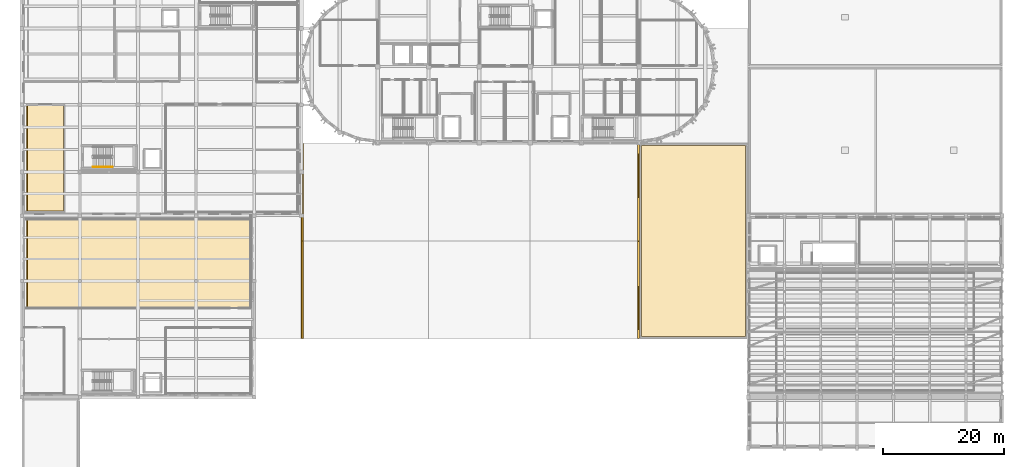
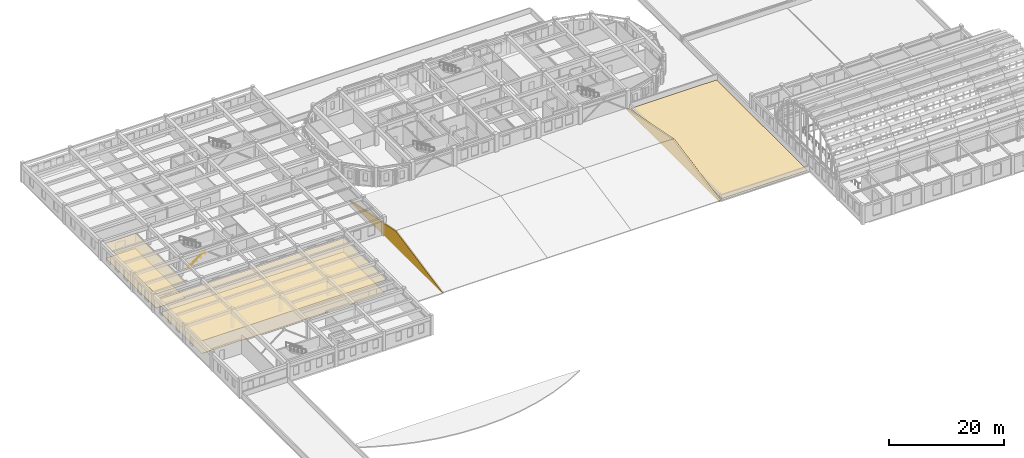
# One storey, part 36 of 46: 7 coverings, 1 railing.
"""IFC4 building model written with IfcOpenShell, lengths in metres."""

from ifc_helpers import new_model, si_unit, direction, frame, origin, origin_2d, place, context, subcontext, project, spatial, polyline, circle, outline, extrude, material, layer, layer_set, type_object, element, save


model = new_model("IFC4")

# Units and contexts
model_context = context("Model", 3, precision=1e-05, world=origin(), true_north=direction((0.0, 1.0)))
body_context = subcontext(model_context, "Body", "Model", "MODEL_VIEW")
ifc_project = project(units=[si_unit("LENGTHUNIT", "METRE"), si_unit("AREAUNIT", "SQUARE_METRE"), si_unit("VOLUMEUNIT", "CUBIC_METRE"), si_unit("PLANEANGLEUNIT", "RADIAN"), si_unit("MASSUNIT", "GRAM", prefix="KILO")], contexts=[model_context])

# Site, building, storey
site_placement = place(None, origin())
site = spatial("IfcSite", under=ifc_project, at=site_placement, CompositionType="ELEMENT")
building_placement = place(site_placement, origin())
building = spatial("IfcBuilding", under=site, at=building_placement, Name="Tarnavel Promenade Courthouse", CompositionType="ELEMENT")
storey_placement = place(building_placement, frame((0.0, 0.0, 14.39990234375)))
storey = spatial("IfcBuildingStorey", under=building, at=storey_placement, Name="L04", CompositionType="ELEMENT", Elevation=14.39990234375)

# Railing
ifc_material_1 = material(Name="Brushed Bronze Tubular Stair Handrail")
railing_type = type_object("IfcRailingType", Name="Brushed Bronze Tubular Stair Handrail (RL-HND-0900)", PredefinedType="HANDRAIL", material=ifc_material_1)
railing_placement = place(storey_placement, frame((11.780029296875, 75.25, 0.175048828125)))
element("IfcRailing", 1, at=railing_placement, inside=storey, type_object=railing_type, Name="L04 ST-04 stair handrail 1", PredefinedType="HANDRAIL", context=body_context, shape_type="SweptSolid", body=[
    extrude(circle(Radius=0.02392578125, at=origin_2d()), frame((0.0, 0.0, 0.8759765625), z_axis=(0.856177665481, 0.0, 0.516681531633), x_axis=(0.0, 1.0, 0.0)), (0.0, 0.0, 1.0), 3.725830078125),
    extrude(circle(Radius=0.02099609375, at=origin_2d()), origin(), (0.0, 0.0, 1.0), 0.851806640625),
    extrude(circle(Radius=0.02099609375, at=origin_2d()), frame((0.79736328125, 0.0, 0.481201171875)), (0.0, 0.0, 1.0), 0.851806640625),
    extrude(circle(Radius=0.02099609375, at=origin_2d()), frame((1.594970703125, 0.0, 0.96240234375)), (0.0, 0.0, 1.0), 0.851806640625),
    extrude(circle(Radius=0.02099609375, at=origin_2d()), frame((2.392578125, 0.0, 1.44384765625)), (0.0, 0.0, 1.0), 0.851806640625),
    extrude(circle(Radius=0.02099609375, at=origin_2d()), frame((3.18994140625, 0.0, 1.925048828125)), (0.0, 0.0, 1.0), 0.851806640625),
])

# Coverings
ifc_material_2 = material(Name="Carved Buff Limestone Floor-Band Cornice Ledge", Category="masonry")
ifc_layer_1 = layer(ifc_material_2, 0.320068359375)
ifc_layer_set_1 = layer_set([ifc_layer_1], Name="Carved Buff Limestone Floor-Band Cornice Ledge")
covering_type_1 = type_object("IfcCoveringType", Name="Carved Buff Limestone Floor-Band Cornice Ledge COV-LEDGE-320 (320 mm)", PredefinedType="CLADDING", material=ifc_layer_set_1)
for number, where, z_axis, x_axis, name in (
    (2, (46.320068359375, 46.89990234375, 0.050048828125), (0.0, 0.0, 1.0), (0.0, 1.0, 0.0), "L04 Winter-Garden Concourse West Copper Gable Tympanum"),
    (3, (101.8798828125, 46.89990234375, 0.050048828125), (0.0, 0.0, 1.0), (0.0, 1.0, 0.0), "L04 Winter-Garden Concourse East Copper Gable Tympanum"),
):
    element("IfcCovering", number, at=place(storey_placement, frame(where, z_axis=z_axis, x_axis=x_axis)), inside=storey, type_object=covering_type_1, Name=name, PredefinedType="CLADDING", context=body_context, shape_type="SweptSolid", body=[
        extrude(outline(polyline([(0.0, 0.0), (32.2001953125, 0.0), (32.199951171875, 0.22998046875), (16.10009765625, 3.449951171875), (0.0, 0.22998046875), (0.0, 0.0)])), frame((0.0, 0.14013671875, 0.0), z_axis=(0.0, -1.0, 0.0), x_axis=(1.0, 0.0, 0.0)), (0.0, 0.0, 1.0), 0.280029296875),
    ])
ifc_material_3 = material(Name="Engineered Smoked Oak Courtroom & Chambers Parquet")
ifc_layer_2 = layer(ifc_material_3, 0.031982421875)
ifc_layer_set_2 = layer_set([ifc_layer_2], Name="Engineered Smoked Oak Courtroom & Chambers Parquet")
covering_type_2 = type_object("IfcCoveringType", Name="Engineered Smoked Oak Courtroom & Chambers Parquet (COV-FLR-OAK-32)", PredefinedType="FLOORING", material=ifc_layer_set_2)
covering_1_placement = place(storey_placement, origin())
element("IfcCovering", 4, at=covering_1_placement, inside=storey, type_object=covering_type_2, Name="L04 Family and Juvenile Hearing Courtroom Architectural Flooring 0026", PredefinedType="FLOORING", context=body_context, shape_type="SweptSolid", body=[
    extrude(outline(polyline([(0.949951171875, 67.949951171875), (6.85009765625, 67.949951171875), (6.85009765625, 85.449951171875), (0.949951171875, 85.449951171875), (0.949951171875, 67.949951171875)])), origin(), (0.0, 0.0, 1.0), 0.031982421875),
])
ifc_material_4 = material(Name="Honed Khoriatis Marble and Terrazzo Civic Flooring", Category="masonry")
ifc_layer_3 = layer(ifc_material_4, 0.0400390625)
ifc_layer_set_3 = layer_set([ifc_layer_3], Name="Honed Khoriatis Marble and Terrazzo Civic Flooring")
covering_type_3 = type_object("IfcCoveringType", Name="Honed Khoriatis Marble and Terrazzo Civic Flooring (COV-FLR-TRZ-40)", PredefinedType="FLOORING", material=ifc_layer_set_3)
covering_2_placement = place(storey_placement, origin())
element("IfcCovering", 5, at=covering_2_placement, inside=storey, type_object=covering_type_3, Name="L04 Rare Constitutional Manuscripts Reading Room Architectural Flooring 0027", PredefinedType="FLOORING", context=body_context, shape_type="SweptSolid", body=[
    extrude(outline(polyline([(0.949951171875, 52.050048828125), (37.64990234375, 52.050048828125), (37.64990234375, 66.449951171875), (0.949951171875, 66.449951171875), (0.949951171875, 52.050048828125)])), origin(), (0.0, 0.0, 1.0), 0.0400390625),
])
ifc_material_5 = material(Name="Slatted Acoustic White Oak Baffle Ceiling")
ifc_layer_4 = layer(ifc_material_5, 0.06494140625)
ifc_layer_set_4 = layer_set([ifc_layer_4], Name="Slatted Acoustic White Oak Baffle Ceiling")
covering_type_4 = type_object("IfcCoveringType", Name="Slatted Acoustic White Oak Baffle Ceiling (COV-CLG-OAK-65)", PredefinedType="CEILING", material=ifc_layer_set_4)
covering_3_placement = place(storey_placement, frame((0.0, 0.0, 3.03515625)))
element("IfcCovering", 6, at=covering_3_placement, inside=storey, type_object=covering_type_4, Name="L04 Family and Juvenile Hearing Courtroom Acoustic Ceiling 0026", PredefinedType="CEILING", context=body_context, shape_type="SweptSolid", body=[
    extrude(outline(polyline([(0.800048828125, 67.800048828125), (7.0, 67.800048828125), (7.0, 85.60009765625), (0.800048828125, 85.60009765625), (0.800048828125, 67.800048828125)])), origin(), (0.0, 0.0, 1.0), 0.06494140625),
])
covering_4_placement = place(storey_placement, frame((0.0, 0.0, 2.76513671875)))
element("IfcCovering", 7, at=covering_4_placement, inside=storey, type_object=covering_type_4, Name="L04 Rare Constitutional Manuscripts Reading Room Acoustic Ceiling 0027", PredefinedType="CEILING", context=body_context, shape_type="SweptSolid", body=[
    extrude(outline(polyline([(0.800048828125, 51.89990234375), (37.800048828125, 51.89990234375), (37.800048828125, 66.60009765625), (0.800048828125, 66.60009765625), (0.800048828125, 51.89990234375)])), origin(), (0.0, 0.0, 1.0), 0.06494140625),
])
ifc_material_6 = material(Name="Standing-Seam Patinated Copper Snow-Retaining Roofing")
ifc_layer_5 = layer(ifc_material_6, 0.0849609375)
ifc_layer_set_5 = layer_set([ifc_layer_5], Name="Standing-Seam Patinated Copper Snow-Retaining Roofing")
covering_type_5 = type_object("IfcCoveringType", Name="Standing-Seam Patinated Copper Snow-Retaining Roofing COV-RF-COPPER-85 (85 mm)", PredefinedType="ROOFING", material=ifc_layer_set_5)
covering_5_placement = place(storey_placement, frame((0.0, 0.0, 0.235107421875)))
element("IfcCovering", 8, at=covering_5_placement, inside=storey, type_object=covering_type_5, Name="L04 Standing-Seam Copper Roof Build-Up 05", PredefinedType="ROOFING", context=body_context, shape_type="SweptSolid", body=[
    extrude(outline(polyline([(102.39990234375, 47.199951171875), (119.60009765625, 47.199951171875), (119.60009765625, 78.800048828125), (102.39990234375, 78.800048828125), (102.39990234375, 47.199951171875)])), origin(), (0.0, 0.0, 1.0), 0.0849609375),
])

save(model, "model.ifc")
